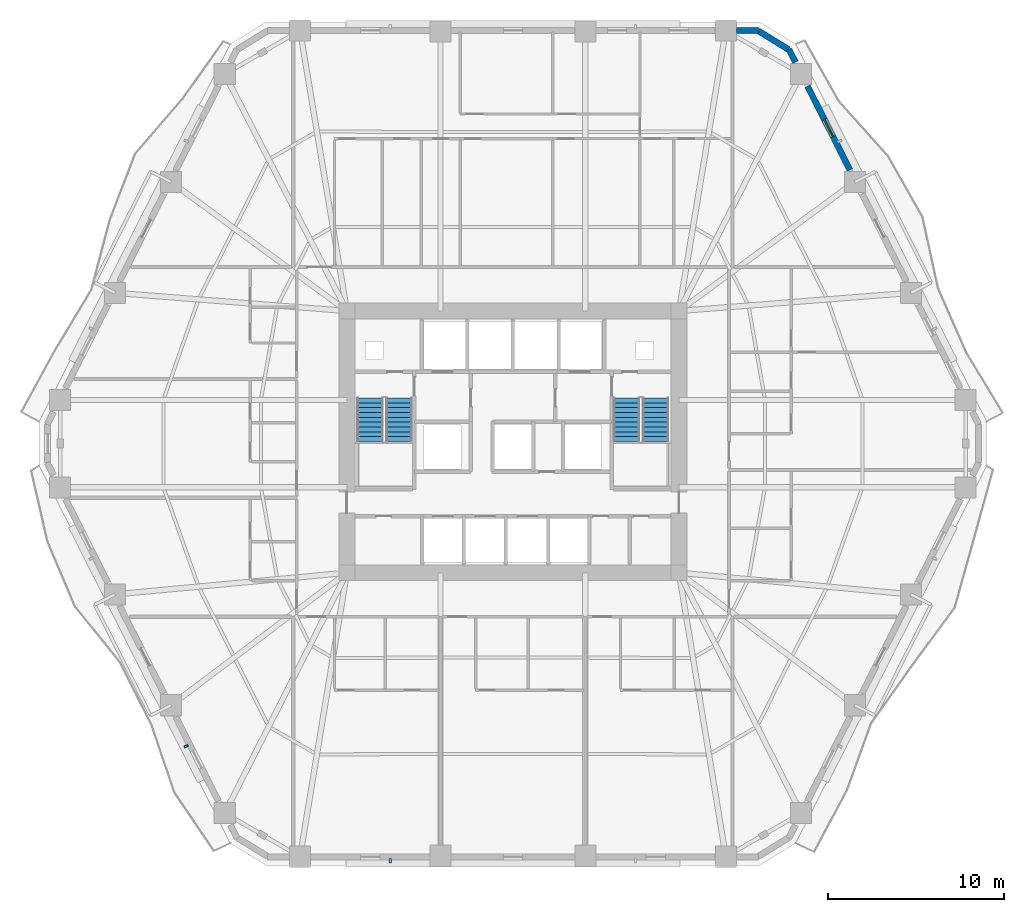
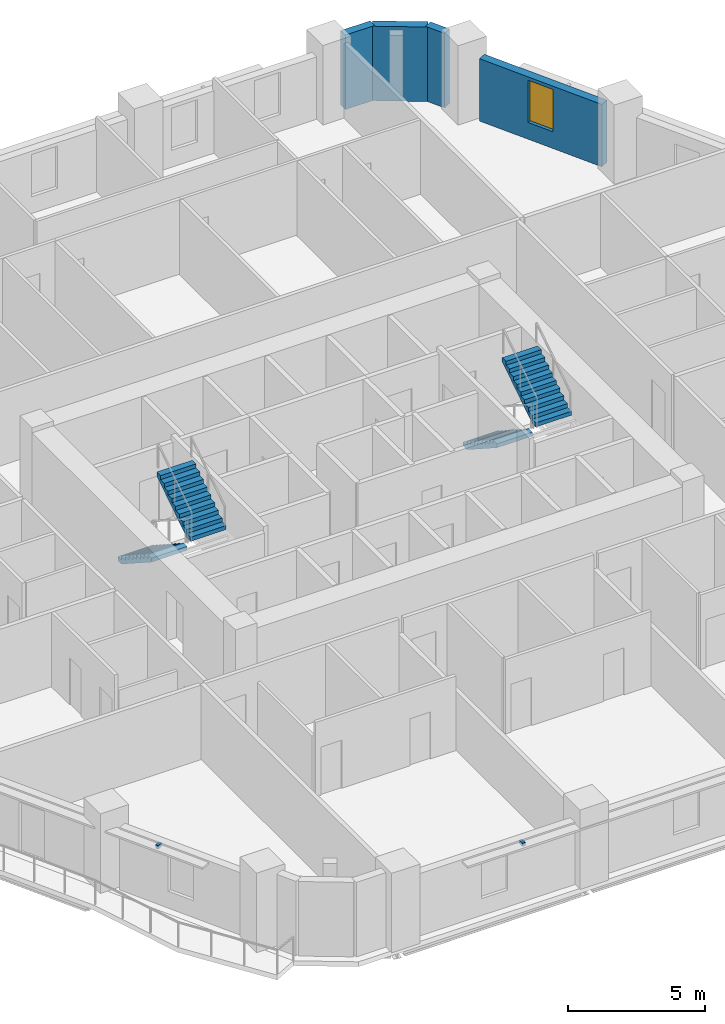
# One storey, part 8 of 14: 4 stair flights, 4 walls, 2 discrete accessories, 1 window, 1 opening, 2 elements without a shape of their own.
"""IFC4 building model written with IfcOpenShell, lengths in metres."""

from ifc_helpers import new_model, si_unit, direction, frame, frame_2d, origin, origin_2d, place, context, subcontext, project, spatial, polyline, rectangle, outline, extrude, material, layer, layer_set, type_object, element, fill, aggregate, save


model = new_model("IFC4")

# Units and contexts
model_context = context("Model", 3, precision=1e-05, world=origin(), true_north=direction((0.0, 1.0)))
body_context = subcontext(model_context, "Body", "Model", "MODEL_VIEW")
ifc_project = project(units=[si_unit("LENGTHUNIT", "METRE"), si_unit("AREAUNIT", "SQUARE_METRE"), si_unit("VOLUMEUNIT", "CUBIC_METRE"), si_unit("PLANEANGLEUNIT", "RADIAN"), si_unit("MASSUNIT", "GRAM", prefix="KILO")], contexts=[model_context])

# Site, building, storey
site_placement = place(None, origin())
site = spatial("IfcSite", under=ifc_project, at=site_placement, CompositionType="ELEMENT")
building_placement = place(site_placement, origin())
building = spatial("IfcBuilding", under=site, at=building_placement, Name="Cinnabar Lancet Tower", CompositionType="ELEMENT")
storey_placement = place(building_placement, frame((0.0, 0.0, 39.10009765625)))
storey = spatial("IfcBuildingStorey", under=building, at=storey_placement, Name="L09", CompositionType="ELEMENT", Elevation=39.10009765625)

# Wall
ifc_material_1 = material(Name="Cinnabar red clay brick", Category="masonry")
ifc_layer = layer(ifc_material_1, 0.340087890625)
ifc_layer_set = layer_set([ifc_layer], Name="Cinnabar red clay brick")
wall_type = type_object("IfcWallType", Name="ENV-WL-BRK-RED-340", PredefinedType="STANDARD", material=ifc_layer_set)
wall_1_placement = place(storey_placement, frame((48.080078125, 48.238037109375, 0.0), z_axis=(0.0, 0.0, 1.0), x_axis=(-0.851870104345, 0.523753114857, 0.0)))
element("IfcWall", 1, at=wall_1_placement, inside=storey, type_object=wall_type, Name="L09 Chamfered Corner Brick Pier 4.1", PredefinedType="STANDARD", context=body_context, shape_type="SweptSolid", body=[
    extrude(rectangle(XDim=2.017822265625, YDim=0.340087890625, at=frame_2d((1.0087890625, 0.0))), origin(), (0.0, 0.0, 1.0), 3.329833984375),
])

# Wall, opening, window
wall_2_placement = place(storey_placement, frame((51.5830078125, 41.3720703125, 0.0), z_axis=(0.0, 0.0, 1.0), x_axis=(-0.451697561555, 0.892171123095, 0.0)))
wall_2 = element("IfcWall", 2, at=wall_2_placement, inside=storey, type_object=wall_type, Name="L09 Face 3 Masonry Bay Wall 4", PredefinedType="STANDARD", context=body_context, shape_type="SweptSolid", body=[
    extrude(rectangle(XDim=5.350830078125, YDim=0.340087890625, at=frame_2d((2.67529296875, 0.0))), origin(), (0.0, 0.0, 1.0), 2.786865234375),
])
opening_placement = place(wall_2_placement, frame((2.125, 0.0, 0.75)))
opening = element("IfcOpeningElement", 3, at=opening_placement, cuts=wall_2, Name="Opening WN-04", PredefinedType="OPENING", context=body_context, shape_type="SweptSolid", body=[
    extrude(rectangle(XDim=1.10009765625, YDim=1.886962890625, at=frame_2d((0.550048828125, 0.943359375))), frame((0.0, 0.179931640625, 0.0), z_axis=(0.0, -1.0, 0.0), x_axis=(1.0, 0.0, 0.0)), (0.0, 0.0, 1.0), 0.360107421875),
])
ifc_material_2 = material(Name="Thermally broken bronze-anodized aluminium tall lancet window", Category="aluminium")
window_type = type_object("IfcWindowType", Name="ENV-WN-LANCET-1100", PartitioningType="SINGLE_PANEL", PredefinedType="WINDOW", material=ifc_material_2)
window_placement = place(opening_placement, origin())
window = element("IfcWindow", 4, at=window_placement, inside=storey, type_object=window_type, Name="L09 Face 3 Gothic Lancet Window 4", OverallHeight=1.886962890625, OverallWidth=1.10009765625, PartitioningType="SINGLE_PANEL", PredefinedType="WINDOW", context=body_context, shape_type="SweptSolid", body=[
    extrude(rectangle(XDim=1.10009765625, YDim=1.886962890625, at=frame_2d((0.550048828125, 0.943359375))), frame((0.0, 0.030029296875, 0.0), z_axis=(0.0, -1.0, 0.0), x_axis=(1.0, 0.0, 0.0)), (0.0, 0.0, 1.0), 0.06005859375),
])
fill(opening, window)

# Walls
wall_3_placement = place(storey_placement, frame((48.47802734375, 47.508056640625, 0.0), z_axis=(0.0, 0.0, 1.0), x_axis=(-0.451995771866, 0.892020079491, 0.0)))
element("IfcWall", 5, at=wall_3_placement, inside=storey, type_object=wall_type, Name="L09 Face 3 Masonry Bay Wall 5", PredefinedType="STANDARD", context=body_context, shape_type="SweptSolid", body=[
    extrude(rectangle(XDim=0.836181640625, YDim=0.340087890625, at=frame_2d((0.41796875, 0.0))), origin(), (0.0, 0.0, 1.0), 3.329833984375),
])
wall_4_placement = place(storey_placement, frame((46.365966796875, 49.320068359375, 0.0), z_axis=(0.0, 0.0, 1.0), x_axis=(-1.0, 0.0, 0.0)))
element("IfcWall", 6, at=wall_4_placement, inside=storey, type_object=wall_type, Name="L09 Face 4 Masonry Bay Wall 1", PredefinedType="STANDARD", context=body_context, shape_type="SweptSolid", body=[
    extrude(rectangle(XDim=1.244873046875, YDim=0.340087890625, at=frame_2d((0.62255859375, 0.0))), origin(), (0.0, 0.0, 1.0), 3.329833984375),
])

# Stair, stair flights
ifc_material_3 = material(Name="Concrete C40/50", Category="concrete")
stair_type = type_object("IfcStairType", Name="ST-CORE", PredefinedType="HALF_TURN_STAIR", material=ifc_material_3)
stair_1_placement = place(storey_placement, origin())
stair_1 = element("IfcStair", 7, at=stair_1_placement, inside=storey, type_object=stair_type, Name="L09 ST-1", PredefinedType="HALF_TURN_STAIR")
ifc_material_4 = material(Name="Concrete C40/50", Category="concrete")
stair_flight_type = type_object("IfcStairFlightType", Name="FLIGHT-CORE", PredefinedType="STRAIGHT", material=ifc_material_4)
stair_flight_1_placement = place(storey_placement, frame((24.27490234375, 28.39990234375, 0.0), z_axis=(0.0, 0.0, 1.0), x_axis=(0.0, -1.0, 0.0)))
stair_flight_1 = element("IfcStairFlight", 8, at=stair_flight_1_placement, type_object=stair_flight_type, Name="ST-1 flight 1", NumberOfRisers=10, NumberOfTreads=9, PredefinedType="STRAIGHT", RiserHeight=0.1775, TreadLength=0.275, context=body_context, shape_type="SweptSolid", body=[
    extrude(outline(polyline([(0.0, 0.0), (0.0, 0.177490234375), (0.27490234375, 0.177490234375), (0.27490234375, 0.35498046875), (0.550048828125, 0.35498046875), (0.550048828125, 0.532470703125), (0.824951171875, 0.532470703125), (0.824951171875, 0.7099609375), (1.10009765625, 0.7099609375), (1.10009765625, 0.887451171875), (1.375, 0.887451171875), (1.375, 1.06494140625), (1.64990234375, 1.06494140625), (1.64990234375, 1.242431640625), (1.925048828125, 1.242431640625), (1.925048828125, 1.419921875), (2.199951171875, 1.419921875), (2.199951171875, 1.597412109375), (2.47509765625, 1.597412109375), (2.47509765625, 1.77490234375), (2.47509765625, 1.419189453125), (0.2763671875, 0.0), (0.0, 0.0)])), frame((0.0, 0.75, 0.0), z_axis=(0.0, -1.0, 0.0), x_axis=(1.0, 0.0, 0.0)), (0.0, 0.0, 1.0), 1.5),
])
stair_flight_2_placement = place(storey_placement, frame((25.925048828125, 25.925048828125, 1.77490234375), z_axis=(0.0, 0.0, 1.0), x_axis=(0.0, 1.0, 0.0)))
stair_flight_2 = element("IfcStairFlight", 9, at=stair_flight_2_placement, type_object=stair_flight_type, Name="ST-1 flight 2", NumberOfRisers=10, NumberOfTreads=9, PredefinedType="STRAIGHT", RiserHeight=0.1775, TreadLength=0.275, context=body_context, shape_type="SweptSolid", body=[
    extrude(outline(polyline([(0.0, 0.0), (0.0, 0.177490234375), (0.27490234375, 0.177490234375), (0.27490234375, 0.35498046875), (0.550048828125, 0.35498046875), (0.550048828125, 0.532470703125), (0.824951171875, 0.532470703125), (0.824951171875, 0.7099609375), (1.10009765625, 0.7099609375), (1.10009765625, 0.887451171875), (1.375, 0.887451171875), (1.375, 1.06494140625), (1.64990234375, 1.06494140625), (1.64990234375, 1.242431640625), (1.925048828125, 1.242431640625), (1.925048828125, 1.419921875), (2.199951171875, 1.419921875), (2.199951171875, 1.597412109375), (2.47509765625, 1.597412109375), (2.47509765625, 1.77490234375), (2.47509765625, 1.419189453125), (0.2763671875, 0.0), (0.0, 0.0)])), frame((0.0, 0.75, 0.0), z_axis=(0.0, -1.0, 0.0), x_axis=(1.0, 0.0, 0.0)), (0.0, 0.0, 1.0), 1.5),
])
aggregate(stair_1, [stair_flight_1, stair_flight_2])

stair_2_placement = place(storey_placement, origin())
stair_2 = element("IfcStair", 10, at=stair_2_placement, inside=storey, type_object=stair_type, Name="L09 ST-2", PredefinedType="HALF_TURN_STAIR")
stair_flight_3_placement = place(storey_placement, frame((38.875, 28.39990234375, 0.0), z_axis=(0.0, 0.0, 1.0), x_axis=(0.0, -1.0, 0.0)))
stair_flight_3 = element("IfcStairFlight", 11, at=stair_flight_3_placement, type_object=stair_flight_type, Name="ST-2 flight 1", NumberOfRisers=10, NumberOfTreads=9, PredefinedType="STRAIGHT", RiserHeight=0.1775, TreadLength=0.275, context=body_context, shape_type="SweptSolid", body=[
    extrude(outline(polyline([(0.0, 0.0), (0.0, 0.177490234375), (0.27490234375, 0.177490234375), (0.27490234375, 0.35498046875), (0.550048828125, 0.35498046875), (0.550048828125, 0.532470703125), (0.824951171875, 0.532470703125), (0.824951171875, 0.7099609375), (1.10009765625, 0.7099609375), (1.10009765625, 0.887451171875), (1.375, 0.887451171875), (1.375, 1.06494140625), (1.64990234375, 1.06494140625), (1.64990234375, 1.242431640625), (1.925048828125, 1.242431640625), (1.925048828125, 1.419921875), (2.199951171875, 1.419921875), (2.199951171875, 1.597412109375), (2.47509765625, 1.597412109375), (2.47509765625, 1.77490234375), (2.47509765625, 1.419189453125), (0.2763671875, 0.0), (0.0, 0.0)])), frame((0.0, 0.75, 0.0), z_axis=(0.0, -1.0, 0.0), x_axis=(1.0, 0.0, 0.0)), (0.0, 0.0, 1.0), 1.5),
])
stair_flight_4_placement = place(storey_placement, frame((40.52490234375, 25.925048828125, 1.77490234375), z_axis=(0.0, 0.0, 1.0), x_axis=(0.0, 1.0, 0.0)))
stair_flight_4 = element("IfcStairFlight", 12, at=stair_flight_4_placement, type_object=stair_flight_type, Name="ST-2 flight 2", NumberOfRisers=10, NumberOfTreads=9, PredefinedType="STRAIGHT", RiserHeight=0.1775, TreadLength=0.275, context=body_context, shape_type="SweptSolid", body=[
    extrude(outline(polyline([(0.0, 0.0), (0.0, 0.177490234375), (0.27490234375, 0.177490234375), (0.27490234375, 0.35498046875), (0.550048828125, 0.35498046875), (0.550048828125, 0.532470703125), (0.824951171875, 0.532470703125), (0.824951171875, 0.7099609375), (1.10009765625, 0.7099609375), (1.10009765625, 0.887451171875), (1.375, 0.887451171875), (1.375, 1.06494140625), (1.64990234375, 1.06494140625), (1.64990234375, 1.242431640625), (1.925048828125, 1.242431640625), (1.925048828125, 1.419921875), (2.199951171875, 1.419921875), (2.199951171875, 1.597412109375), (2.47509765625, 1.597412109375), (2.47509765625, 1.77490234375), (2.47509765625, 1.419189453125), (0.2763671875, 0.0), (0.0, 0.0)])), frame((0.0, 0.75, 0.0), z_axis=(0.0, -1.0, 0.0), x_axis=(1.0, 0.0, 0.0)), (0.0, 0.0, 1.0), 1.5),
])
aggregate(stair_2, [stair_flight_3, stair_flight_4])

# Discrete accessories
ifc_material_5 = material(Name="Stainless steel 316 facade fixing bracket", Category="steel")
discrete_accessory_type = type_object("IfcDiscreteAccessoryType", Name="ENV-ACC-BRK-180", PredefinedType="BRACKET", material=ifc_material_5)
for number, where, z_axis, x_axis, name in (
    (13, (25.4169921875, 2.06005859375, 2.60009765625), (0.0, 0.0, 1.0), (1.0, 0.0, 0.0), "L09 Face 1 Sunshade Bracket A"),
    (14, (13.805908203125, 8.5791015625, 2.60009765625), (0.0, 0.0, 1.0), (0.451500573218, -0.892270829056, 0.0), "L09 Face 6 Sunshade Bracket B"),
):
    element("IfcDiscreteAccessory", number, at=place(storey_placement, frame(where, z_axis=z_axis, x_axis=x_axis)), inside=storey, type_object=discrete_accessory_type, Name=name, PredefinedType="BRACKET", context=body_context, shape_type="SweptSolid", body=[
        extrude(rectangle(XDim=0.1201171875, YDim=0.239990234375, at=origin_2d()), origin(), (0.0, 0.0, 1.0), 0.159912109375),
    ])

save(model, "model.ifc")
